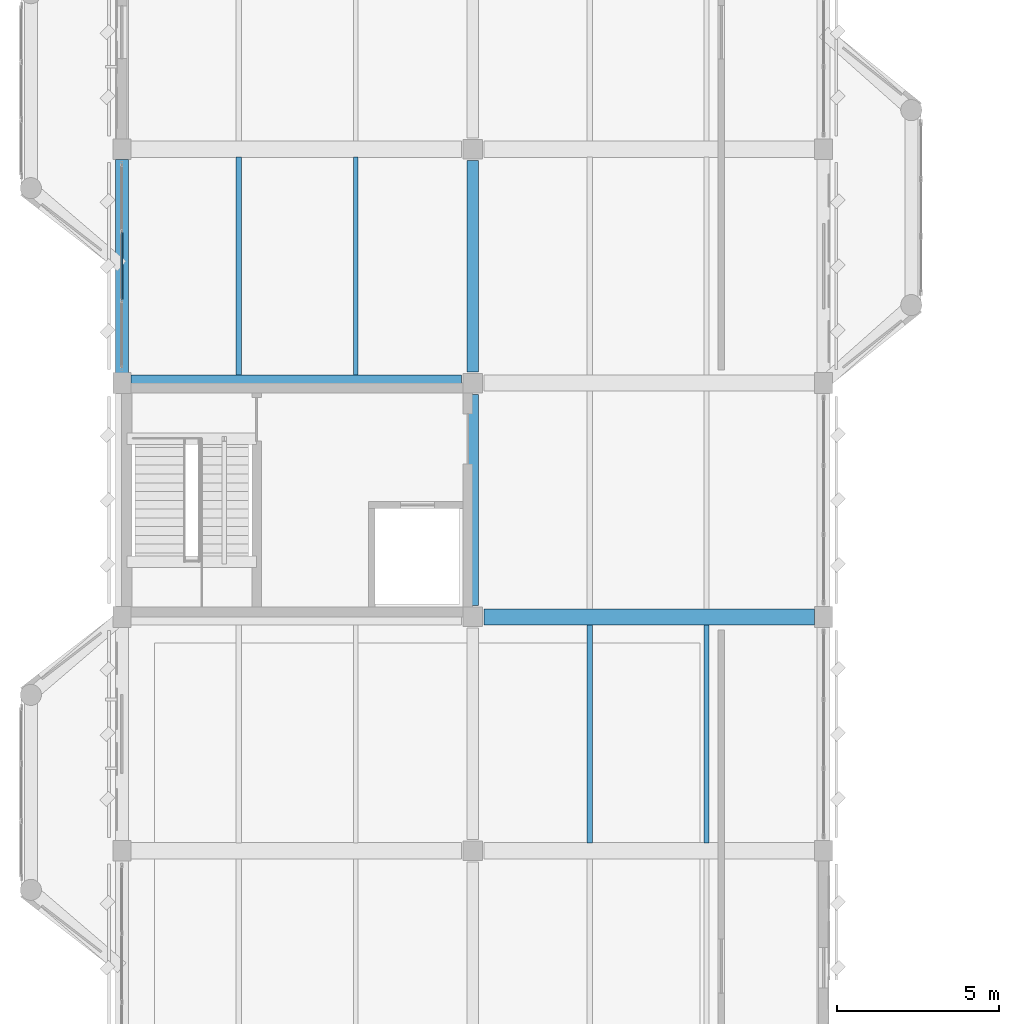
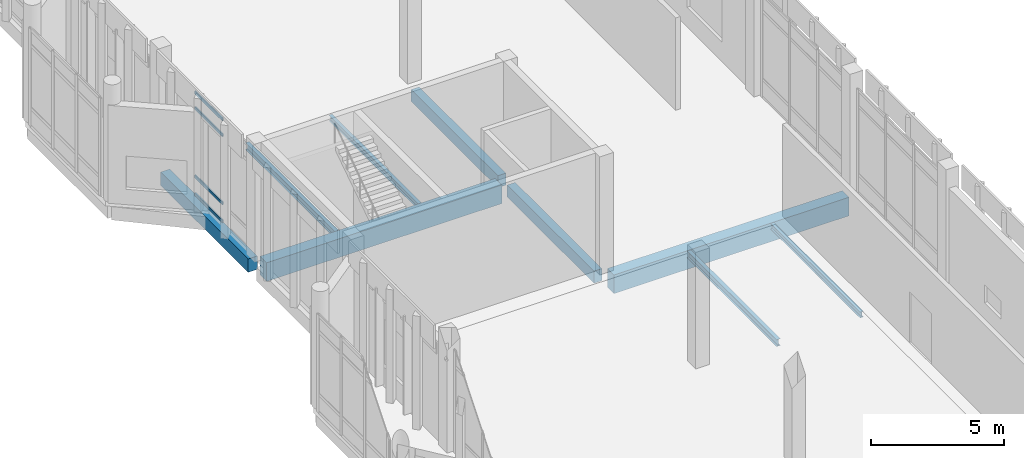
# One storey, part 54 of 180: 9 beams, 4 members, 1 element without a shape of its own.
"""IFC4 building model written with IfcOpenShell, lengths in metres."""

from ifc_helpers import new_model, si_unit, direction, frame, origin, origin_2d, place, context, subcontext, project, spatial, rectangle, hollow_rectangle, i_section, extrude, material, material_profile, profile_set, type_object, element, aggregate, save


model = new_model("IFC4")

# Units and contexts
model_context = context("Model", 3, precision=1e-05, world=origin(), true_north=direction((0.0, 1.0)))
body_context = subcontext(model_context, "Body", "Model", "MODEL_VIEW")
ifc_project = project(units=[si_unit("LENGTHUNIT", "METRE"), si_unit("AREAUNIT", "SQUARE_METRE"), si_unit("VOLUMEUNIT", "CUBIC_METRE"), si_unit("PLANEANGLEUNIT", "RADIAN"), si_unit("MASSUNIT", "GRAM", prefix="KILO")], contexts=[model_context])

# Site, building, storey
site_placement = place(None, origin())
site = spatial("IfcSite", under=ifc_project, at=site_placement, CompositionType="ELEMENT")
building_placement = place(site_placement, origin())
building = spatial("IfcBuilding", under=site, at=building_placement, Name="Lusvemor Sports Hall", CompositionType="ELEMENT")
storey_placement = place(building_placement, frame((0.0, 0.0, 5.39990234375)))
storey = spatial("IfcBuildingStorey", under=building, at=storey_placement, Name="L01", CompositionType="ELEMENT", Elevation=5.39990234375)

# Beams
ifc_material_1 = material(Name="Concrete C40/50", Category="concrete")
ifc_material_profile_1 = material_profile(ifc_material_1, rectangle(XDim=0.35009765625, YDim=0.550048828125, at=origin_2d()), Name="RC350x550")
ifc_profile_set_1 = profile_set([ifc_material_profile_1], Name="Concrete C40/50")
beam_type_1 = type_object("IfcBeamType", Name="BEAM_RC_550", PredefinedType="BEAM", material=ifc_profile_set_1)
beam_1_placement = place(storey_placement, frame((10.800048828125, 68.74609375, -0.534912109375), z_axis=(0.0, 1.0, 0.0), x_axis=(-1.0, 0.0, 0.0)))
element("IfcBeam", 1, at=beam_1_placement, inside=storey, type_object=beam_type_1, Name="Beam L01 2:J-K", PredefinedType="BEAM", context=body_context, shape_type="SweptSolid", body=[
    extrude(rectangle(XDim=0.35009765625, YDim=0.550048828125, at=origin_2d()), origin(), (0.0, 0.0, 1.0), 6.5078125),
])
beam_2_placement = place(storey_placement, frame((10.800048828125, 75.946044921875, -0.534912109375), z_axis=(0.0, 1.0, 0.0), x_axis=(-1.0, 0.0, 0.0)))
element("IfcBeam", 2, at=beam_2_placement, inside=storey, type_object=beam_type_1, Name="Beam L01 2:K-L", PredefinedType="BEAM", context=body_context, shape_type="SweptSolid", body=[
    extrude(rectangle(XDim=0.35009765625, YDim=0.550048828125, at=origin_2d()), origin(), (0.0, 0.0, 1.0), 6.508056640625),
])

# Curtain wall, members
ifc_material_2 = material(Name="Thermally broken bronze-anodized aluminium", Category="aluminium")
curtain_wall_type = type_object("IfcCurtainWallType", Name="CW_WING_B", PredefinedType="NOTDEFINED", material=ifc_material_2)
curtain_wall_placement = place(storey_placement, origin())
curtain_wall = element("IfcCurtainWall", 3, at=curtain_wall_placement, inside=storey, type_object=curtain_wall_type, Name="Curtain Wall CW-L01-W-0-4", PredefinedType="NOTDEFINED")
ifc_material_3 = material(Name="Thermally broken bronze-anodized aluminium", Category="aluminium")
ifc_material_profile_2 = material_profile(ifc_material_3, hollow_rectangle(XDim=0.06005859375, YDim=0.135009765625, WallThickness=0.00390625, InnerFilletRadius=0.00390625, OuterFilletRadius=0.008056640625, at=origin_2d()), Name="CWTRN135x60x4")
ifc_profile_set_2 = profile_set([ifc_material_profile_2], Name="Thermally broken bronze-anodized aluminium")
member_type = type_object("IfcMemberType", Name="CW_TRN_B", PredefinedType="USERDEFINED", material=ifc_profile_set_2)
member_1_placement = place(storey_placement, frame((0.0, 78.172607421875, 0.030029296875), z_axis=(0.0, 1.0, 0.0), x_axis=(-1.0, 0.0, 0.0)))
member_1 = element("IfcMember", 4, at=member_1_placement, type_object=member_type, Name="CW02 transom 2.1", ObjectType="TRANSOM", PredefinedType="USERDEFINED", context=body_context, shape_type="SweptSolid", body=[
    extrude(hollow_rectangle(XDim=0.06005859375, YDim=0.135009765625, WallThickness=0.00390625, InnerFilletRadius=0.00390625, OuterFilletRadius=0.008056640625, at=origin_2d()), origin(), (0.0, 0.0, 1.0), 2.054931640625),
])
member_2_placement = place(storey_placement, frame((0.0, 78.172607421875, 0.85009765625), z_axis=(0.0, 1.0, 0.0), x_axis=(-1.0, 0.0, 0.0)))
member_2 = element("IfcMember", 5, at=member_2_placement, type_object=member_type, Name="CW02 transom 2.2", ObjectType="TRANSOM", PredefinedType="USERDEFINED", context=body_context, shape_type="SweptSolid", body=[
    extrude(hollow_rectangle(XDim=0.06005859375, YDim=0.135009765625, WallThickness=0.00390625, InnerFilletRadius=0.00390625, OuterFilletRadius=0.008056640625, at=origin_2d()), origin(), (0.0, 0.0, 1.0), 2.054931640625),
])
member_3_placement = place(storey_placement, frame((0.0, 78.172607421875, 3.97021484375), z_axis=(0.0, 1.0, 0.0), x_axis=(-1.0, 0.0, 0.0)))
member_3 = element("IfcMember", 6, at=member_3_placement, type_object=member_type, Name="CW02 transom 2.3", ObjectType="TRANSOM", PredefinedType="USERDEFINED", context=body_context, shape_type="SweptSolid", body=[
    extrude(hollow_rectangle(XDim=0.06005859375, YDim=0.135009765625, WallThickness=0.00390625, InnerFilletRadius=0.00390625, OuterFilletRadius=0.008056640625, at=origin_2d()), origin(), (0.0, 0.0, 1.0), 2.054931640625),
])
member_4_placement = place(storey_placement, frame((0.0, 78.172607421875, 4.690185546875), z_axis=(0.0, 1.0, 0.0), x_axis=(-1.0, 0.0, 0.0)))
member_4 = element("IfcMember", 7, at=member_4_placement, type_object=member_type, Name="CW02 transom 2.4", ObjectType="TRANSOM", PredefinedType="USERDEFINED", context=body_context, shape_type="SweptSolid", body=[
    extrude(hollow_rectangle(XDim=0.06005859375, YDim=0.135009765625, WallThickness=0.00390625, InnerFilletRadius=0.00390625, OuterFilletRadius=0.008056640625, at=origin_2d()), origin(), (0.0, 0.0, 1.0), 2.054931640625),
])
aggregate(curtain_wall, [member_1, member_2, member_3, member_4])

# Beams
ifc_material_4 = material(Name="Concrete C40/50", Category="concrete")
ifc_material_profile_3 = material_profile(ifc_material_4, rectangle(XDim=0.5, YDim=0.85009765625, at=origin_2d()), Name="RC500x850")
ifc_profile_set_3 = profile_set([ifc_material_profile_3], Name="Concrete C40/50")
beam_type_2 = type_object("IfcBeamType", Name="GIRD_RC_850", PredefinedType="T_BEAM", material=ifc_profile_set_3)
beam_3_placement = place(storey_placement, frame((11.14599609375, 68.39990234375, -0.684814453125), z_axis=(1.0, 0.0, 0.0), x_axis=(0.0, 1.0, 0.0)))
element("IfcBeam", 8, at=beam_3_placement, inside=storey, type_object=beam_type_2, Name="Beam L01 J:2-3", PredefinedType="T_BEAM", context=body_context, shape_type="SweptSolid", body=[
    extrude(rectangle(XDim=0.5, YDim=0.85009765625, at=origin_2d()), origin(), (0.0, 0.0, 1.0), 10.177978515625),
])
beam_4_placement = place(storey_placement, frame((0.27587890625, 75.60009765625, -0.684814453125), z_axis=(1.0, 0.0, 0.0), x_axis=(0.0, 1.0, 0.0)))
element("IfcBeam", 9, at=beam_4_placement, inside=storey, type_object=beam_type_2, Name="Beam L01 K:1-2", PredefinedType="T_BEAM", context=body_context, shape_type="SweptSolid", body=[
    extrude(rectangle(XDim=0.5, YDim=0.85009765625, at=origin_2d()), origin(), (0.0, 0.0, 1.0), 10.17822265625),
])
ifc_material_5 = material(Name="Steel S355", Category="steel")
ifc_material_profile_4 = material_profile(ifc_material_5, i_section(OverallWidth=0.14794921875, OverallDepth=0.26611328125, WebThickness=0.007568359375, FlangeThickness=0.012939453125, FilletRadius=0.012939453125, at=origin_2d()), Name="W250x44.8")
ifc_profile_set_4 = profile_set([ifc_material_profile_4], Name="Steel S355")
beam_type_3 = type_object("IfcBeamType", Name="JOIST_ST_250M", PredefinedType="JOIST", material=ifc_profile_set_4)
for number, where, z_axis, x_axis, name in (
    (10, (7.199951171875, 75.845947265625, -0.39697265625), (0.0, 1.0, 0.0), (-1.0, 0.0, 0.0), "Secondary Joist L01 1-2/K-L #2"),
    (11, (18.0, 61.446044921875, -0.39697265625), (0.0, 1.0, 0.0), (-1.0, 0.0, 0.0), "Secondary Joist L01 2-3/H-J #2"),
):
    element("IfcBeam", number, at=place(storey_placement, frame(where, z_axis=z_axis, x_axis=x_axis)), inside=storey, type_object=beam_type_3, Name=name, PredefinedType="JOIST", context=body_context, shape_type="SweptSolid", body=[
        extrude(i_section(OverallWidth=0.14794921875, OverallDepth=0.26611328125, WebThickness=0.007568359375, FlangeThickness=0.012939453125, FilletRadius=0.012939453125, at=origin_2d()), origin(), (0.0, 0.0, 1.0), 6.7080078125),
    ])
ifc_material_6 = material(Name="Steel S355", Category="steel")
ifc_material_profile_5 = material_profile(ifc_material_6, i_section(OverallWidth=0.1669921875, OverallDepth=0.31689453125, WebThickness=0.007568359375, FlangeThickness=0.01318359375, FilletRadius=0.014892578125, at=origin_2d()), Name="W310x52.0")
ifc_profile_set_5 = profile_set([ifc_material_profile_5], Name="Steel S355")
beam_type_4 = type_object("IfcBeamType", Name="JOIST_ST_310M", PredefinedType="JOIST", material=ifc_profile_set_5)
for number, where, z_axis, x_axis, name in (
    (12, (3.60009765625, 75.845947265625, -0.42236328125), (0.0, 1.0, 0.0), (-1.0, 0.0, 0.0), "Secondary Joist L01 1-2/K-L #1"),
    (13, (14.39990234375, 61.446044921875, -0.42236328125), (0.0, 1.0, 0.0), (-1.0, 0.0, 0.0), "Secondary Joist L01 2-3/H-J #1"),
):
    element("IfcBeam", number, at=place(storey_placement, frame(where, z_axis=z_axis, x_axis=x_axis)), inside=storey, type_object=beam_type_4, Name=name, PredefinedType="JOIST", context=body_context, shape_type="SweptSolid", body=[
        extrude(i_section(OverallWidth=0.1669921875, OverallDepth=0.31689453125, WebThickness=0.007568359375, FlangeThickness=0.01318359375, FilletRadius=0.014892578125, at=origin_2d()), origin(), (0.0, 0.0, 1.0), 6.7080078125),
    ])
ifc_material_7 = material(Name="Concrete C40/50", Category="concrete")
ifc_material_profile_6 = material_profile(ifc_material_7, rectangle(XDim=0.39990234375, YDim=0.610107421875, at=origin_2d()), Name="RC400x610")
ifc_profile_set_6 = profile_set([ifc_material_profile_6], Name="Concrete C40/50")
beam_type_5 = type_object("IfcBeamType", Name="SPAND_EXT_650", PredefinedType="SPANDREL", material=ifc_profile_set_6)
beam_5_placement = place(storey_placement, frame((0.0, 75.916015625, -0.56494140625), z_axis=(0.0, 1.0, 0.0), x_axis=(-1.0, 0.0, 0.0)))
element("IfcBeam", 14, at=beam_5_placement, inside=storey, type_object=beam_type_5, Name="Beam L01 1:K-L", PredefinedType="SPANDREL", context=body_context, shape_type="SweptSolid", body=[
    extrude(rectangle(XDim=0.39990234375, YDim=0.610107421875, at=origin_2d()), origin(), (0.0, 0.0, 1.0), 6.56787109375),
])

save(model, "model.ifc")
